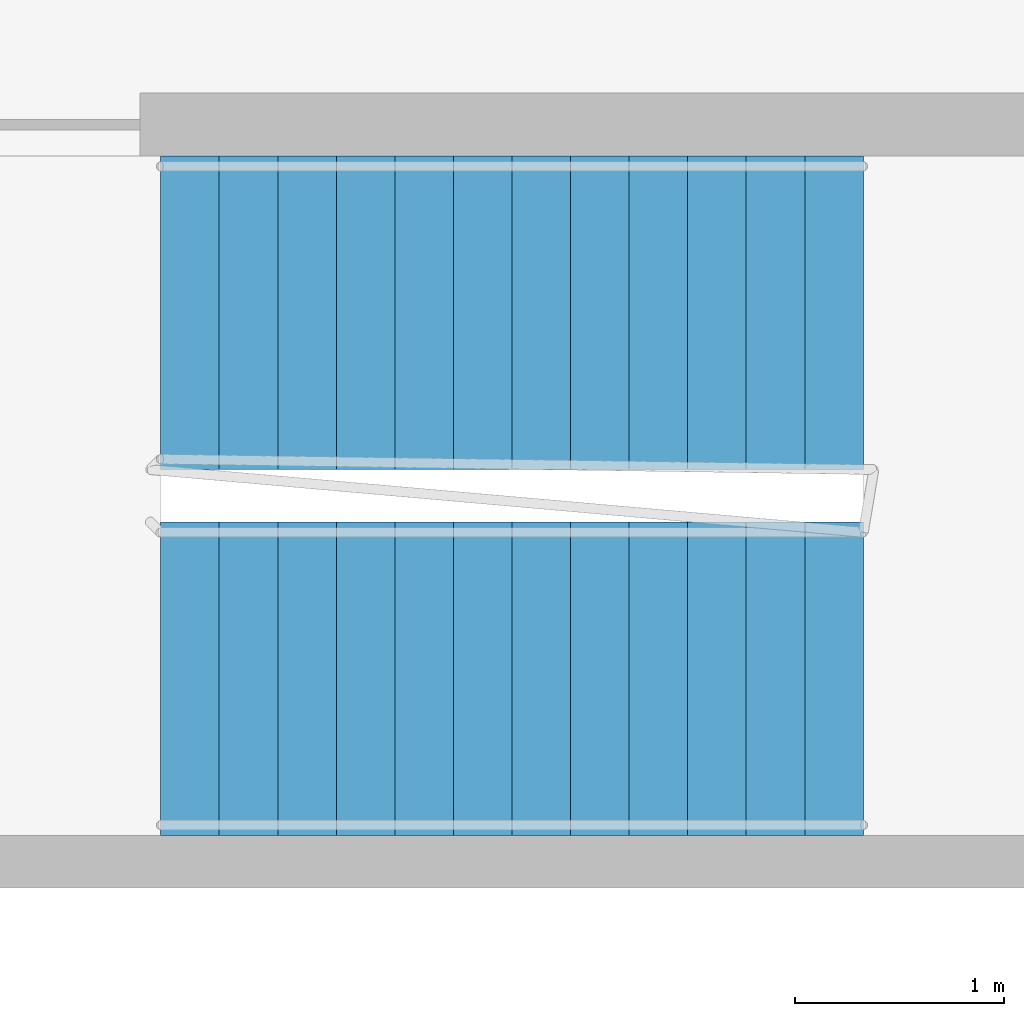
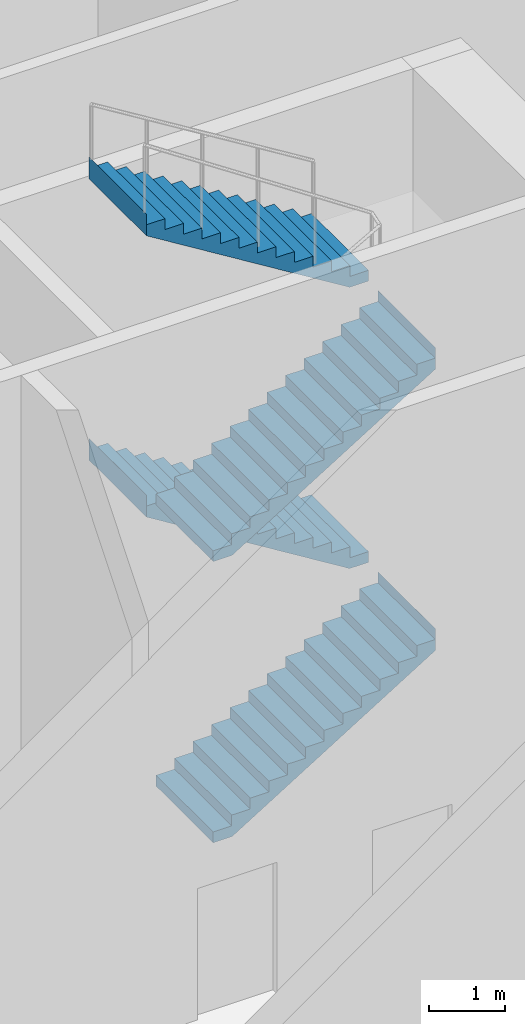
# One storey, part 21 of 24: 4 stair flights, 1 element without a shape of its own.
"""IFC4 building model written with IfcOpenShell, lengths in metres."""

from ifc_helpers import new_model, si_unit, direction, frame, origin, place, context, subcontext, project, spatial, faceted_brep, material, type_object, element, aggregate, save


model = new_model("IFC4")

# Units and contexts
model_context = context("Model", 3, precision=1e-05, world=origin(), true_north=direction((0.0, 1.0)))
body_context = subcontext(model_context, "Body", "Model", "MODEL_VIEW")
ifc_project = project(units=[si_unit("LENGTHUNIT", "METRE"), si_unit("AREAUNIT", "SQUARE_METRE"), si_unit("VOLUMEUNIT", "CUBIC_METRE"), si_unit("PLANEANGLEUNIT", "RADIAN"), si_unit("MASSUNIT", "GRAM", prefix="KILO")], contexts=[model_context])

# Site, building, storey
site_placement = place(None, origin())
site = spatial("IfcSite", under=ifc_project, at=site_placement, CompositionType="ELEMENT")
building_placement = place(site_placement, origin())
building = spatial("IfcBuilding", under=site, at=building_placement, Name="Kajstack Hotel Tower", CompositionType="ELEMENT")
storey_placement = place(building_placement, frame((0.0, 0.0, 38.0)))
storey = spatial("IfcBuildingStorey", under=building, at=storey_placement, Name="L06", CompositionType="ELEMENT", Elevation=38.0)

# Stair, stair flights
ifc_material = material(Name="Concrete C40/50", Category="concrete")
stair_type = type_object("IfcStairType", Name="Exit stair 1500", PredefinedType="HALF_TURN_STAIR", material=ifc_material)
stair_placement = place(storey_placement, origin())
stair = element("IfcStair", 1, at=stair_placement, inside=storey, type_object=stair_type, Name="L06 stair E3", PredefinedType="HALF_TURN_STAIR")
stair_flight_type = type_object("IfcStairFlightType", Name="Exit stair flight 1500", PredefinedType="STRAIGHT", material=ifc_material)
stair_flight_1_placement = place(storey_placement, frame((25.699951171875, 12.699951171875, 0.0), z_axis=(0.0, 0.0, 1.0), x_axis=(1.0, 0.0, 0.0)))
stair_flight_1 = element("IfcStairFlight", 2, at=stair_flight_1_placement, type_object=stair_flight_type, Name="E3 flight 1", NumberOfRisers=13, NumberOfTreads=12, PredefinedType="STRAIGHT", RiserHeight=0.173076923, TreadLength=0.28, context=body_context, shape_type="Brep", body=[
    faceted_brep([(0.28564453125, -0.75, 0.0), (3.360595703125, -0.75, 1.900634765625), (3.360595703125, -0.75, 2.25), (3.360107421875, -0.75, 2.25), (3.360107421875, -0.75, 2.076904296875), (3.080078125, -0.75, 2.076904296875), (3.080078125, -0.75, 1.90380859375), (2.800048828125, -0.75, 1.90380859375), (2.800048828125, -0.75, 1.730712890625), (2.52001953125, -0.75, 1.730712890625), (2.52001953125, -0.75, 1.5576171875), (2.239990234375, -0.75, 1.5576171875), (2.239990234375, -0.75, 1.384521484375), (1.9599609375, -0.75, 1.384521484375), (1.9599609375, -0.75, 1.21142578125), (1.679931640625, -0.75, 1.21142578125), (1.679931640625, -0.75, 1.03857421875), (1.39990234375, -0.75, 1.03857421875), (1.39990234375, -0.75, 0.865478515625), (1.1201171875, -0.75, 0.865478515625), (1.1201171875, -0.75, 0.6923828125), (0.840087890625, -0.75, 0.6923828125), (0.840087890625, -0.75, 0.519287109375), (0.56005859375, -0.75, 0.519287109375), (0.56005859375, -0.75, 0.34619140625), (0.280029296875, -0.75, 0.34619140625), (0.280029296875, -0.75, 0.173095703125), (-0.00048828125, -0.75, 0.173095703125), (-0.00048828125, -0.75, 0.0), (-0.00048828125, 0.75, 0.0), (-0.00048828125, 0.75, 0.173095703125), (0.280029296875, 0.75, 0.173095703125), (0.280029296875, 0.75, 0.34619140625), (0.56005859375, 0.75, 0.34619140625), (0.56005859375, 0.75, 0.519287109375), (0.840087890625, 0.75, 0.519287109375), (0.840087890625, 0.75, 0.6923828125), (1.1201171875, 0.75, 0.6923828125), (1.1201171875, 0.75, 0.865478515625), (1.39990234375, 0.75, 0.865478515625), (1.39990234375, 0.75, 1.03857421875), (1.679931640625, 0.75, 1.03857421875), (1.679931640625, 0.75, 1.21142578125), (1.9599609375, 0.75, 1.21142578125), (1.9599609375, 0.75, 1.384521484375), (2.239990234375, 0.75, 1.384521484375), (2.239990234375, 0.75, 1.5576171875), (2.52001953125, 0.75, 1.5576171875), (2.52001953125, 0.75, 1.730712890625), (2.800048828125, 0.75, 1.730712890625), (2.800048828125, 0.75, 1.90380859375), (3.080078125, 0.75, 1.90380859375), (3.080078125, 0.75, 2.076904296875), (3.360107421875, 0.75, 2.076904296875), (3.360107421875, 0.75, 2.25), (3.360595703125, 0.75, 2.25), (3.360595703125, 0.75, 1.900634765625), (0.28564453125, 0.75, 0.0), (-0.00048828125, -0.375, 0.173095703125), (-0.00048828125, 0.0, 0.173095703125), (-0.00048828125, 0.375, 0.173095703125), (-0.00048828125, 0.375, 0.0), (-0.00048828125, 0.0, 0.0), (-0.00048828125, -0.375, 0.0), (0.280029296875, -0.375, 0.173095703125), (0.280029296875, 0.0, 0.173095703125), (0.280029296875, 0.375, 0.173095703125), (0.280029296875, -0.375, 0.34619140625), (0.280029296875, 0.0, 0.34619140625), (0.280029296875, 0.375, 0.34619140625), (0.56005859375, -0.375, 0.34619140625), (0.56005859375, 0.0, 0.34619140625), (0.56005859375, 0.375, 0.34619140625), (0.56005859375, -0.375, 0.519287109375), (0.56005859375, 0.0, 0.519287109375), (0.56005859375, 0.375, 0.519287109375), (0.840087890625, -0.375, 0.519287109375), (0.840087890625, 0.0, 0.519287109375), (0.840087890625, 0.375, 0.519287109375), (0.840087890625, -0.375, 0.6923828125), (0.840087890625, 0.0, 0.6923828125), (0.840087890625, 0.375, 0.6923828125), (1.1201171875, -0.375, 0.6923828125), (1.1201171875, 0.0, 0.6923828125), (1.1201171875, 0.375, 0.6923828125), (1.1201171875, -0.375, 0.865478515625), (1.1201171875, 0.0, 0.865478515625), (1.1201171875, 0.375, 0.865478515625), (1.39990234375, -0.375, 0.865478515625), (1.39990234375, 0.0, 0.865478515625), (1.39990234375, 0.375, 0.865478515625), (1.39990234375, -0.375, 1.03857421875), (1.39990234375, 0.0, 1.03857421875), (1.39990234375, 0.375, 1.03857421875), (1.679931640625, -0.375, 1.03857421875), (1.679931640625, 0.0, 1.03857421875), (1.679931640625, 0.375, 1.03857421875), (1.679931640625, -0.375, 1.21142578125), (1.679931640625, 0.0, 1.21142578125), (1.679931640625, 0.375, 1.21142578125), (1.9599609375, -0.375, 1.21142578125), (1.9599609375, 0.0, 1.21142578125), (1.9599609375, 0.375, 1.21142578125), (1.9599609375, -0.375, 1.384521484375), (1.9599609375, 0.0, 1.384521484375), (1.9599609375, 0.375, 1.384521484375), (2.239990234375, -0.375, 1.384521484375), (2.239990234375, 0.0, 1.384521484375), (2.239990234375, 0.375, 1.384521484375), (2.239990234375, -0.375, 1.5576171875), (2.239990234375, 0.0, 1.5576171875), (2.239990234375, 0.375, 1.5576171875), (2.52001953125, -0.375, 1.5576171875), (2.52001953125, 0.0, 1.5576171875), (2.52001953125, 0.375, 1.5576171875), (2.52001953125, -0.375, 1.730712890625), (2.52001953125, 0.0, 1.730712890625), (2.52001953125, 0.375, 1.730712890625), (2.800048828125, -0.375, 1.730712890625), (2.800048828125, 0.0, 1.730712890625), (2.800048828125, 0.375, 1.730712890625), (2.800048828125, -0.375, 1.90380859375), (2.800048828125, 0.0, 1.90380859375), (2.800048828125, 0.375, 1.90380859375), (3.080078125, -0.375, 1.90380859375), (3.080078125, 0.0, 1.90380859375), (3.080078125, 0.375, 1.90380859375), (3.080078125, -0.375, 2.076904296875), (3.080078125, 0.0, 2.076904296875), (3.080078125, 0.375, 2.076904296875), (3.360107421875, -0.375, 2.076904296875), (3.360107421875, 0.0, 2.076904296875), (3.360107421875, 0.375, 2.076904296875), (3.360107421875, -0.375, 2.25), (3.360107421875, 0.0, 2.25), (3.360107421875, 0.375, 2.25), (3.360595703125, -0.375, 2.25), (3.360595703125, 0.0, 2.25), (3.360595703125, 0.375, 2.25), (3.360595703125, -0.375, 1.900634765625), (3.360595703125, 0.0, 1.900634765625), (3.360595703125, 0.375, 1.900634765625), (0.28564453125, -0.375, 0.0), (0.28564453125, 0.0, 0.0), (0.28564453125, 0.375, 0.0)], [[[0, 1, 2, 3, 4, 5, 6, 7, 8, 9, 10, 11, 12, 13, 14, 15, 16, 17, 18, 19, 20, 21, 22, 23, 24, 25, 26, 27, 28]], [[29, 30, 31, 32, 33, 34, 35, 36, 37, 38, 39, 40, 41, 42, 43, 44, 45, 46, 47, 48, 49, 50, 51, 52, 53, 54, 55, 56, 57]], [[27, 58, 59, 60, 30, 29, 61, 62, 63, 28]], [[26, 64, 65, 66, 31, 30, 60, 59, 58, 27]], [[25, 67, 68, 69, 32, 31, 66, 65, 64, 26]], [[24, 70, 71, 72, 33, 32, 69, 68, 67, 25]], [[23, 73, 74, 75, 34, 33, 72, 71, 70, 24]], [[22, 76, 77, 78, 35, 34, 75, 74, 73, 23]], [[21, 79, 80, 81, 36, 35, 78, 77, 76, 22]], [[20, 82, 83, 84, 37, 36, 81, 80, 79, 21]], [[19, 85, 86, 87, 38, 37, 84, 83, 82, 20]], [[18, 88, 89, 90, 39, 38, 87, 86, 85, 19]], [[17, 91, 92, 93, 40, 39, 90, 89, 88, 18]], [[16, 94, 95, 96, 41, 40, 93, 92, 91, 17]], [[15, 97, 98, 99, 42, 41, 96, 95, 94, 16]], [[14, 100, 101, 102, 43, 42, 99, 98, 97, 15]], [[13, 103, 104, 105, 44, 43, 102, 101, 100, 14]], [[12, 106, 107, 108, 45, 44, 105, 104, 103, 13]], [[11, 109, 110, 111, 46, 45, 108, 107, 106, 12]], [[10, 112, 113, 114, 47, 46, 111, 110, 109, 11]], [[9, 115, 116, 117, 48, 47, 114, 113, 112, 10]], [[8, 118, 119, 120, 49, 48, 117, 116, 115, 9]], [[7, 121, 122, 123, 50, 49, 120, 119, 118, 8]], [[6, 124, 125, 126, 51, 50, 123, 122, 121, 7]], [[5, 127, 128, 129, 52, 51, 126, 125, 124, 6]], [[4, 130, 131, 132, 53, 52, 129, 128, 127, 5]], [[3, 133, 134, 135, 54, 53, 132, 131, 130, 4]], [[2, 136, 137, 138, 55, 54, 135, 134, 133, 3]], [[1, 139, 140, 141, 56, 55, 138, 137, 136, 2]], [[0, 142, 143, 144, 57, 56, 141, 140, 139, 1]], [[28, 63, 62, 61, 29, 57, 144, 143, 142, 0]]]),
])
stair_flight_2_placement = place(storey_placement, frame((29.06005859375, 14.449951171875, 2.25), z_axis=(0.0, 0.0, 1.0), x_axis=(-1.0, 0.0, 0.0)))
stair_flight_2 = element("IfcStairFlight", 3, at=stair_flight_2_placement, type_object=stair_flight_type, Name="E3 flight 2", NumberOfRisers=13, NumberOfTreads=12, PredefinedType="STRAIGHT", RiserHeight=0.173076923, TreadLength=0.28, context=body_context, shape_type="Brep", body=[
    faceted_brep([(0.28564453125, -0.75, 0.0), (3.360595703125, -0.75, 1.900634765625), (3.360595703125, -0.75, 2.25), (3.360107421875, -0.75, 2.25), (3.360107421875, -0.75, 2.076904296875), (3.080078125, -0.75, 2.076904296875), (3.080078125, -0.75, 1.90380859375), (2.800048828125, -0.75, 1.90380859375), (2.800048828125, -0.75, 1.730712890625), (2.52001953125, -0.75, 1.730712890625), (2.52001953125, -0.75, 1.5576171875), (2.239990234375, -0.75, 1.5576171875), (2.239990234375, -0.75, 1.384521484375), (1.9599609375, -0.75, 1.384521484375), (1.9599609375, -0.75, 1.21142578125), (1.679931640625, -0.75, 1.21142578125), (1.679931640625, -0.75, 1.03857421875), (1.39990234375, -0.75, 1.03857421875), (1.39990234375, -0.75, 0.865478515625), (1.1201171875, -0.75, 0.865478515625), (1.1201171875, -0.75, 0.6923828125), (0.840087890625, -0.75, 0.6923828125), (0.840087890625, -0.75, 0.519287109375), (0.56005859375, -0.75, 0.519287109375), (0.56005859375, -0.75, 0.34619140625), (0.280029296875, -0.75, 0.34619140625), (0.280029296875, -0.75, 0.173095703125), (-0.00048828125, -0.75, 0.173095703125), (-0.00048828125, -0.75, 0.0), (-0.00048828125, 0.75, 0.0), (-0.00048828125, 0.75, 0.173095703125), (0.280029296875, 0.75, 0.173095703125), (0.280029296875, 0.75, 0.34619140625), (0.56005859375, 0.75, 0.34619140625), (0.56005859375, 0.75, 0.519287109375), (0.840087890625, 0.75, 0.519287109375), (0.840087890625, 0.75, 0.6923828125), (1.1201171875, 0.75, 0.6923828125), (1.1201171875, 0.75, 0.865478515625), (1.39990234375, 0.75, 0.865478515625), (1.39990234375, 0.75, 1.03857421875), (1.679931640625, 0.75, 1.03857421875), (1.679931640625, 0.75, 1.21142578125), (1.9599609375, 0.75, 1.21142578125), (1.9599609375, 0.75, 1.384521484375), (2.239990234375, 0.75, 1.384521484375), (2.239990234375, 0.75, 1.5576171875), (2.52001953125, 0.75, 1.5576171875), (2.52001953125, 0.75, 1.730712890625), (2.800048828125, 0.75, 1.730712890625), (2.800048828125, 0.75, 1.90380859375), (3.080078125, 0.75, 1.90380859375), (3.080078125, 0.75, 2.076904296875), (3.360107421875, 0.75, 2.076904296875), (3.360107421875, 0.75, 2.25), (3.360595703125, 0.75, 2.25), (3.360595703125, 0.75, 1.900634765625), (0.28564453125, 0.75, 0.0), (-0.00048828125, -0.375, 0.173095703125), (-0.00048828125, 0.0, 0.173095703125), (-0.00048828125, 0.375, 0.173095703125), (-0.00048828125, 0.375, 0.0), (-0.00048828125, 0.0, 0.0), (-0.00048828125, -0.375, 0.0), (0.280029296875, -0.375, 0.173095703125), (0.280029296875, 0.0, 0.173095703125), (0.280029296875, 0.375, 0.173095703125), (0.280029296875, -0.375, 0.34619140625), (0.280029296875, 0.0, 0.34619140625), (0.280029296875, 0.375, 0.34619140625), (0.56005859375, -0.375, 0.34619140625), (0.56005859375, 0.0, 0.34619140625), (0.56005859375, 0.375, 0.34619140625), (0.56005859375, -0.375, 0.519287109375), (0.56005859375, 0.0, 0.519287109375), (0.56005859375, 0.375, 0.519287109375), (0.840087890625, -0.375, 0.519287109375), (0.840087890625, 0.0, 0.519287109375), (0.840087890625, 0.375, 0.519287109375), (0.840087890625, -0.375, 0.6923828125), (0.840087890625, 0.0, 0.6923828125), (0.840087890625, 0.375, 0.6923828125), (1.1201171875, -0.375, 0.6923828125), (1.1201171875, 0.0, 0.6923828125), (1.1201171875, 0.375, 0.6923828125), (1.1201171875, -0.375, 0.865478515625), (1.1201171875, 0.0, 0.865478515625), (1.1201171875, 0.375, 0.865478515625), (1.39990234375, -0.375, 0.865478515625), (1.39990234375, 0.0, 0.865478515625), (1.39990234375, 0.375, 0.865478515625), (1.39990234375, -0.375, 1.03857421875), (1.39990234375, 0.0, 1.03857421875), (1.39990234375, 0.375, 1.03857421875), (1.679931640625, -0.375, 1.03857421875), (1.679931640625, 0.0, 1.03857421875), (1.679931640625, 0.375, 1.03857421875), (1.679931640625, -0.375, 1.21142578125), (1.679931640625, 0.0, 1.21142578125), (1.679931640625, 0.375, 1.21142578125), (1.9599609375, -0.375, 1.21142578125), (1.9599609375, 0.0, 1.21142578125), (1.9599609375, 0.375, 1.21142578125), (1.9599609375, -0.375, 1.384521484375), (1.9599609375, 0.0, 1.384521484375), (1.9599609375, 0.375, 1.384521484375), (2.239990234375, -0.375, 1.384521484375), (2.239990234375, 0.0, 1.384521484375), (2.239990234375, 0.375, 1.384521484375), (2.239990234375, -0.375, 1.5576171875), (2.239990234375, 0.0, 1.5576171875), (2.239990234375, 0.375, 1.5576171875), (2.52001953125, -0.375, 1.5576171875), (2.52001953125, 0.0, 1.5576171875), (2.52001953125, 0.375, 1.5576171875), (2.52001953125, -0.375, 1.730712890625), (2.52001953125, 0.0, 1.730712890625), (2.52001953125, 0.375, 1.730712890625), (2.800048828125, -0.375, 1.730712890625), (2.800048828125, 0.0, 1.730712890625), (2.800048828125, 0.375, 1.730712890625), (2.800048828125, -0.375, 1.90380859375), (2.800048828125, 0.0, 1.90380859375), (2.800048828125, 0.375, 1.90380859375), (3.080078125, -0.375, 1.90380859375), (3.080078125, 0.0, 1.90380859375), (3.080078125, 0.375, 1.90380859375), (3.080078125, -0.375, 2.076904296875), (3.080078125, 0.0, 2.076904296875), (3.080078125, 0.375, 2.076904296875), (3.360107421875, -0.375, 2.076904296875), (3.360107421875, 0.0, 2.076904296875), (3.360107421875, 0.375, 2.076904296875), (3.360107421875, -0.375, 2.25), (3.360107421875, 0.0, 2.25), (3.360107421875, 0.375, 2.25), (3.360595703125, -0.375, 2.25), (3.360595703125, 0.0, 2.25), (3.360595703125, 0.375, 2.25), (3.360595703125, -0.375, 1.900634765625), (3.360595703125, 0.0, 1.900634765625), (3.360595703125, 0.375, 1.900634765625), (0.28564453125, -0.375, 0.0), (0.28564453125, 0.0, 0.0), (0.28564453125, 0.375, 0.0)], [[[0, 1, 2, 3, 4, 5, 6, 7, 8, 9, 10, 11, 12, 13, 14, 15, 16, 17, 18, 19, 20, 21, 22, 23, 24, 25, 26, 27, 28]], [[29, 30, 31, 32, 33, 34, 35, 36, 37, 38, 39, 40, 41, 42, 43, 44, 45, 46, 47, 48, 49, 50, 51, 52, 53, 54, 55, 56, 57]], [[27, 58, 59, 60, 30, 29, 61, 62, 63, 28]], [[26, 64, 65, 66, 31, 30, 60, 59, 58, 27]], [[25, 67, 68, 69, 32, 31, 66, 65, 64, 26]], [[24, 70, 71, 72, 33, 32, 69, 68, 67, 25]], [[23, 73, 74, 75, 34, 33, 72, 71, 70, 24]], [[22, 76, 77, 78, 35, 34, 75, 74, 73, 23]], [[21, 79, 80, 81, 36, 35, 78, 77, 76, 22]], [[20, 82, 83, 84, 37, 36, 81, 80, 79, 21]], [[19, 85, 86, 87, 38, 37, 84, 83, 82, 20]], [[18, 88, 89, 90, 39, 38, 87, 86, 85, 19]], [[17, 91, 92, 93, 40, 39, 90, 89, 88, 18]], [[16, 94, 95, 96, 41, 40, 93, 92, 91, 17]], [[15, 97, 98, 99, 42, 41, 96, 95, 94, 16]], [[14, 100, 101, 102, 43, 42, 99, 98, 97, 15]], [[13, 103, 104, 105, 44, 43, 102, 101, 100, 14]], [[12, 106, 107, 108, 45, 44, 105, 104, 103, 13]], [[11, 109, 110, 111, 46, 45, 108, 107, 106, 12]], [[10, 112, 113, 114, 47, 46, 111, 110, 109, 11]], [[9, 115, 116, 117, 48, 47, 114, 113, 112, 10]], [[8, 118, 119, 120, 49, 48, 117, 116, 115, 9]], [[7, 121, 122, 123, 50, 49, 120, 119, 118, 8]], [[6, 124, 125, 126, 51, 50, 123, 122, 121, 7]], [[5, 127, 128, 129, 52, 51, 126, 125, 124, 6]], [[4, 130, 131, 132, 53, 52, 129, 128, 127, 5]], [[3, 133, 134, 135, 54, 53, 132, 131, 130, 4]], [[2, 136, 137, 138, 55, 54, 135, 134, 133, 3]], [[1, 139, 140, 141, 56, 55, 138, 137, 136, 2]], [[0, 142, 143, 144, 57, 56, 141, 140, 139, 1]], [[28, 63, 62, 61, 29, 57, 144, 143, 142, 0]]]),
])
stair_flight_3_placement = place(storey_placement, frame((25.699951171875, 12.699951171875, 4.5), z_axis=(0.0, 0.0, 1.0), x_axis=(1.0, 0.0, 0.0)))
stair_flight_3 = element("IfcStairFlight", 4, at=stair_flight_3_placement, type_object=stair_flight_type, Name="E3 flight 3", NumberOfRisers=13, NumberOfTreads=12, PredefinedType="STRAIGHT", RiserHeight=0.173076923, TreadLength=0.28, context=body_context, shape_type="Brep", body=[
    faceted_brep([(0.28564453125, -0.75, 0.0), (3.360595703125, -0.75, 1.900634765625), (3.360595703125, -0.75, 2.25), (3.360107421875, -0.75, 2.25), (3.360107421875, -0.75, 2.076904296875), (3.080078125, -0.75, 2.076904296875), (3.080078125, -0.75, 1.90380859375), (2.800048828125, -0.75, 1.90380859375), (2.800048828125, -0.75, 1.730712890625), (2.52001953125, -0.75, 1.730712890625), (2.52001953125, -0.75, 1.5576171875), (2.239990234375, -0.75, 1.5576171875), (2.239990234375, -0.75, 1.384521484375), (1.9599609375, -0.75, 1.384521484375), (1.9599609375, -0.75, 1.21142578125), (1.679931640625, -0.75, 1.21142578125), (1.679931640625, -0.75, 1.03857421875), (1.39990234375, -0.75, 1.03857421875), (1.39990234375, -0.75, 0.865478515625), (1.1201171875, -0.75, 0.865478515625), (1.1201171875, -0.75, 0.6923828125), (0.840087890625, -0.75, 0.6923828125), (0.840087890625, -0.75, 0.519287109375), (0.56005859375, -0.75, 0.519287109375), (0.56005859375, -0.75, 0.34619140625), (0.280029296875, -0.75, 0.34619140625), (0.280029296875, -0.75, 0.173095703125), (-0.00048828125, -0.75, 0.173095703125), (-0.00048828125, -0.75, 0.0), (-0.00048828125, 0.75, 0.0), (-0.00048828125, 0.75, 0.173095703125), (0.280029296875, 0.75, 0.173095703125), (0.280029296875, 0.75, 0.34619140625), (0.56005859375, 0.75, 0.34619140625), (0.56005859375, 0.75, 0.519287109375), (0.840087890625, 0.75, 0.519287109375), (0.840087890625, 0.75, 0.6923828125), (1.1201171875, 0.75, 0.6923828125), (1.1201171875, 0.75, 0.865478515625), (1.39990234375, 0.75, 0.865478515625), (1.39990234375, 0.75, 1.03857421875), (1.679931640625, 0.75, 1.03857421875), (1.679931640625, 0.75, 1.21142578125), (1.9599609375, 0.75, 1.21142578125), (1.9599609375, 0.75, 1.384521484375), (2.239990234375, 0.75, 1.384521484375), (2.239990234375, 0.75, 1.5576171875), (2.52001953125, 0.75, 1.5576171875), (2.52001953125, 0.75, 1.730712890625), (2.800048828125, 0.75, 1.730712890625), (2.800048828125, 0.75, 1.90380859375), (3.080078125, 0.75, 1.90380859375), (3.080078125, 0.75, 2.076904296875), (3.360107421875, 0.75, 2.076904296875), (3.360107421875, 0.75, 2.25), (3.360595703125, 0.75, 2.25), (3.360595703125, 0.75, 1.900634765625), (0.28564453125, 0.75, 0.0), (-0.00048828125, -0.375, 0.173095703125), (-0.00048828125, 0.0, 0.173095703125), (-0.00048828125, 0.375, 0.173095703125), (-0.00048828125, 0.375, 0.0), (-0.00048828125, 0.0, 0.0), (-0.00048828125, -0.375, 0.0), (0.280029296875, -0.375, 0.173095703125), (0.280029296875, 0.0, 0.173095703125), (0.280029296875, 0.375, 0.173095703125), (0.280029296875, -0.375, 0.34619140625), (0.280029296875, 0.0, 0.34619140625), (0.280029296875, 0.375, 0.34619140625), (0.56005859375, -0.375, 0.34619140625), (0.56005859375, 0.0, 0.34619140625), (0.56005859375, 0.375, 0.34619140625), (0.56005859375, -0.375, 0.519287109375), (0.56005859375, 0.0, 0.519287109375), (0.56005859375, 0.375, 0.519287109375), (0.840087890625, -0.375, 0.519287109375), (0.840087890625, 0.0, 0.519287109375), (0.840087890625, 0.375, 0.519287109375), (0.840087890625, -0.375, 0.6923828125), (0.840087890625, 0.0, 0.6923828125), (0.840087890625, 0.375, 0.6923828125), (1.1201171875, -0.375, 0.6923828125), (1.1201171875, 0.0, 0.6923828125), (1.1201171875, 0.375, 0.6923828125), (1.1201171875, -0.375, 0.865478515625), (1.1201171875, 0.0, 0.865478515625), (1.1201171875, 0.375, 0.865478515625), (1.39990234375, -0.375, 0.865478515625), (1.39990234375, 0.0, 0.865478515625), (1.39990234375, 0.375, 0.865478515625), (1.39990234375, -0.375, 1.03857421875), (1.39990234375, 0.0, 1.03857421875), (1.39990234375, 0.375, 1.03857421875), (1.679931640625, -0.375, 1.03857421875), (1.679931640625, 0.0, 1.03857421875), (1.679931640625, 0.375, 1.03857421875), (1.679931640625, -0.375, 1.21142578125), (1.679931640625, 0.0, 1.21142578125), (1.679931640625, 0.375, 1.21142578125), (1.9599609375, -0.375, 1.21142578125), (1.9599609375, 0.0, 1.21142578125), (1.9599609375, 0.375, 1.21142578125), (1.9599609375, -0.375, 1.384521484375), (1.9599609375, 0.0, 1.384521484375), (1.9599609375, 0.375, 1.384521484375), (2.239990234375, -0.375, 1.384521484375), (2.239990234375, 0.0, 1.384521484375), (2.239990234375, 0.375, 1.384521484375), (2.239990234375, -0.375, 1.5576171875), (2.239990234375, 0.0, 1.5576171875), (2.239990234375, 0.375, 1.5576171875), (2.52001953125, -0.375, 1.5576171875), (2.52001953125, 0.0, 1.5576171875), (2.52001953125, 0.375, 1.5576171875), (2.52001953125, -0.375, 1.730712890625), (2.52001953125, 0.0, 1.730712890625), (2.52001953125, 0.375, 1.730712890625), (2.800048828125, -0.375, 1.730712890625), (2.800048828125, 0.0, 1.730712890625), (2.800048828125, 0.375, 1.730712890625), (2.800048828125, -0.375, 1.90380859375), (2.800048828125, 0.0, 1.90380859375), (2.800048828125, 0.375, 1.90380859375), (3.080078125, -0.375, 1.90380859375), (3.080078125, 0.0, 1.90380859375), (3.080078125, 0.375, 1.90380859375), (3.080078125, -0.375, 2.076904296875), (3.080078125, 0.0, 2.076904296875), (3.080078125, 0.375, 2.076904296875), (3.360107421875, -0.375, 2.076904296875), (3.360107421875, 0.0, 2.076904296875), (3.360107421875, 0.375, 2.076904296875), (3.360107421875, -0.375, 2.25), (3.360107421875, 0.0, 2.25), (3.360107421875, 0.375, 2.25), (3.360595703125, -0.375, 2.25), (3.360595703125, 0.0, 2.25), (3.360595703125, 0.375, 2.25), (3.360595703125, -0.375, 1.900634765625), (3.360595703125, 0.0, 1.900634765625), (3.360595703125, 0.375, 1.900634765625), (0.28564453125, -0.375, 0.0), (0.28564453125, 0.0, 0.0), (0.28564453125, 0.375, 0.0)], [[[0, 1, 2, 3, 4, 5, 6, 7, 8, 9, 10, 11, 12, 13, 14, 15, 16, 17, 18, 19, 20, 21, 22, 23, 24, 25, 26, 27, 28]], [[29, 30, 31, 32, 33, 34, 35, 36, 37, 38, 39, 40, 41, 42, 43, 44, 45, 46, 47, 48, 49, 50, 51, 52, 53, 54, 55, 56, 57]], [[27, 58, 59, 60, 30, 29, 61, 62, 63, 28]], [[26, 64, 65, 66, 31, 30, 60, 59, 58, 27]], [[25, 67, 68, 69, 32, 31, 66, 65, 64, 26]], [[24, 70, 71, 72, 33, 32, 69, 68, 67, 25]], [[23, 73, 74, 75, 34, 33, 72, 71, 70, 24]], [[22, 76, 77, 78, 35, 34, 75, 74, 73, 23]], [[21, 79, 80, 81, 36, 35, 78, 77, 76, 22]], [[20, 82, 83, 84, 37, 36, 81, 80, 79, 21]], [[19, 85, 86, 87, 38, 37, 84, 83, 82, 20]], [[18, 88, 89, 90, 39, 38, 87, 86, 85, 19]], [[17, 91, 92, 93, 40, 39, 90, 89, 88, 18]], [[16, 94, 95, 96, 41, 40, 93, 92, 91, 17]], [[15, 97, 98, 99, 42, 41, 96, 95, 94, 16]], [[14, 100, 101, 102, 43, 42, 99, 98, 97, 15]], [[13, 103, 104, 105, 44, 43, 102, 101, 100, 14]], [[12, 106, 107, 108, 45, 44, 105, 104, 103, 13]], [[11, 109, 110, 111, 46, 45, 108, 107, 106, 12]], [[10, 112, 113, 114, 47, 46, 111, 110, 109, 11]], [[9, 115, 116, 117, 48, 47, 114, 113, 112, 10]], [[8, 118, 119, 120, 49, 48, 117, 116, 115, 9]], [[7, 121, 122, 123, 50, 49, 120, 119, 118, 8]], [[6, 124, 125, 126, 51, 50, 123, 122, 121, 7]], [[5, 127, 128, 129, 52, 51, 126, 125, 124, 6]], [[4, 130, 131, 132, 53, 52, 129, 128, 127, 5]], [[3, 133, 134, 135, 54, 53, 132, 131, 130, 4]], [[2, 136, 137, 138, 55, 54, 135, 134, 133, 3]], [[1, 139, 140, 141, 56, 55, 138, 137, 136, 2]], [[0, 142, 143, 144, 57, 56, 141, 140, 139, 1]], [[28, 63, 62, 61, 29, 57, 144, 143, 142, 0]]]),
])
stair_flight_4_placement = place(storey_placement, frame((29.06005859375, 14.449951171875, 6.75), z_axis=(0.0, 0.0, 1.0), x_axis=(-1.0, 0.0, 0.0)))
stair_flight_4 = element("IfcStairFlight", 5, at=stair_flight_4_placement, type_object=stair_flight_type, Name="E3 flight 4", NumberOfRisers=13, NumberOfTreads=12, PredefinedType="STRAIGHT", RiserHeight=0.173076923, TreadLength=0.28, context=body_context, shape_type="Brep", body=[
    faceted_brep([(0.28564453125, -0.75, 0.0), (3.360595703125, -0.75, 1.900634765625), (3.360595703125, -0.75, 2.25), (3.360107421875, -0.75, 2.25), (3.360107421875, -0.75, 2.076904296875), (3.080078125, -0.75, 2.076904296875), (3.080078125, -0.75, 1.90380859375), (2.800048828125, -0.75, 1.90380859375), (2.800048828125, -0.75, 1.730712890625), (2.52001953125, -0.75, 1.730712890625), (2.52001953125, -0.75, 1.5576171875), (2.239990234375, -0.75, 1.5576171875), (2.239990234375, -0.75, 1.384521484375), (1.9599609375, -0.75, 1.384521484375), (1.9599609375, -0.75, 1.21142578125), (1.679931640625, -0.75, 1.21142578125), (1.679931640625, -0.75, 1.03857421875), (1.39990234375, -0.75, 1.03857421875), (1.39990234375, -0.75, 0.865478515625), (1.1201171875, -0.75, 0.865478515625), (1.1201171875, -0.75, 0.6923828125), (0.840087890625, -0.75, 0.6923828125), (0.840087890625, -0.75, 0.519287109375), (0.56005859375, -0.75, 0.519287109375), (0.56005859375, -0.75, 0.34619140625), (0.280029296875, -0.75, 0.34619140625), (0.280029296875, -0.75, 0.173095703125), (-0.00048828125, -0.75, 0.173095703125), (-0.00048828125, -0.75, 0.0), (-0.00048828125, 0.75, 0.0), (-0.00048828125, 0.75, 0.173095703125), (0.280029296875, 0.75, 0.173095703125), (0.280029296875, 0.75, 0.34619140625), (0.56005859375, 0.75, 0.34619140625), (0.56005859375, 0.75, 0.519287109375), (0.840087890625, 0.75, 0.519287109375), (0.840087890625, 0.75, 0.6923828125), (1.1201171875, 0.75, 0.6923828125), (1.1201171875, 0.75, 0.865478515625), (1.39990234375, 0.75, 0.865478515625), (1.39990234375, 0.75, 1.03857421875), (1.679931640625, 0.75, 1.03857421875), (1.679931640625, 0.75, 1.21142578125), (1.9599609375, 0.75, 1.21142578125), (1.9599609375, 0.75, 1.384521484375), (2.239990234375, 0.75, 1.384521484375), (2.239990234375, 0.75, 1.5576171875), (2.52001953125, 0.75, 1.5576171875), (2.52001953125, 0.75, 1.730712890625), (2.800048828125, 0.75, 1.730712890625), (2.800048828125, 0.75, 1.90380859375), (3.080078125, 0.75, 1.90380859375), (3.080078125, 0.75, 2.076904296875), (3.360107421875, 0.75, 2.076904296875), (3.360107421875, 0.75, 2.25), (3.360595703125, 0.75, 2.25), (3.360595703125, 0.75, 1.900634765625), (0.28564453125, 0.75, 0.0), (-0.00048828125, -0.375, 0.173095703125), (-0.00048828125, 0.0, 0.173095703125), (-0.00048828125, 0.375, 0.173095703125), (-0.00048828125, 0.375, 0.0), (-0.00048828125, 0.0, 0.0), (-0.00048828125, -0.375, 0.0), (0.280029296875, -0.375, 0.173095703125), (0.280029296875, 0.0, 0.173095703125), (0.280029296875, 0.375, 0.173095703125), (0.280029296875, -0.375, 0.34619140625), (0.280029296875, 0.0, 0.34619140625), (0.280029296875, 0.375, 0.34619140625), (0.56005859375, -0.375, 0.34619140625), (0.56005859375, 0.0, 0.34619140625), (0.56005859375, 0.375, 0.34619140625), (0.56005859375, -0.375, 0.519287109375), (0.56005859375, 0.0, 0.519287109375), (0.56005859375, 0.375, 0.519287109375), (0.840087890625, -0.375, 0.519287109375), (0.840087890625, 0.0, 0.519287109375), (0.840087890625, 0.375, 0.519287109375), (0.840087890625, -0.375, 0.6923828125), (0.840087890625, 0.0, 0.6923828125), (0.840087890625, 0.375, 0.6923828125), (1.1201171875, -0.375, 0.6923828125), (1.1201171875, 0.0, 0.6923828125), (1.1201171875, 0.375, 0.6923828125), (1.1201171875, -0.375, 0.865478515625), (1.1201171875, 0.0, 0.865478515625), (1.1201171875, 0.375, 0.865478515625), (1.39990234375, -0.375, 0.865478515625), (1.39990234375, 0.0, 0.865478515625), (1.39990234375, 0.375, 0.865478515625), (1.39990234375, -0.375, 1.03857421875), (1.39990234375, 0.0, 1.03857421875), (1.39990234375, 0.375, 1.03857421875), (1.679931640625, -0.375, 1.03857421875), (1.679931640625, 0.0, 1.03857421875), (1.679931640625, 0.375, 1.03857421875), (1.679931640625, -0.375, 1.21142578125), (1.679931640625, 0.0, 1.21142578125), (1.679931640625, 0.375, 1.21142578125), (1.9599609375, -0.375, 1.21142578125), (1.9599609375, 0.0, 1.21142578125), (1.9599609375, 0.375, 1.21142578125), (1.9599609375, -0.375, 1.384521484375), (1.9599609375, 0.0, 1.384521484375), (1.9599609375, 0.375, 1.384521484375), (2.239990234375, -0.375, 1.384521484375), (2.239990234375, 0.0, 1.384521484375), (2.239990234375, 0.375, 1.384521484375), (2.239990234375, -0.375, 1.5576171875), (2.239990234375, 0.0, 1.5576171875), (2.239990234375, 0.375, 1.5576171875), (2.52001953125, -0.375, 1.5576171875), (2.52001953125, 0.0, 1.5576171875), (2.52001953125, 0.375, 1.5576171875), (2.52001953125, -0.375, 1.730712890625), (2.52001953125, 0.0, 1.730712890625), (2.52001953125, 0.375, 1.730712890625), (2.800048828125, -0.375, 1.730712890625), (2.800048828125, 0.0, 1.730712890625), (2.800048828125, 0.375, 1.730712890625), (2.800048828125, -0.375, 1.90380859375), (2.800048828125, 0.0, 1.90380859375), (2.800048828125, 0.375, 1.90380859375), (3.080078125, -0.375, 1.90380859375), (3.080078125, 0.0, 1.90380859375), (3.080078125, 0.375, 1.90380859375), (3.080078125, -0.375, 2.076904296875), (3.080078125, 0.0, 2.076904296875), (3.080078125, 0.375, 2.076904296875), (3.360107421875, -0.375, 2.076904296875), (3.360107421875, 0.0, 2.076904296875), (3.360107421875, 0.375, 2.076904296875), (3.360107421875, -0.375, 2.25), (3.360107421875, 0.0, 2.25), (3.360107421875, 0.375, 2.25), (3.360595703125, -0.375, 2.25), (3.360595703125, 0.0, 2.25), (3.360595703125, 0.375, 2.25), (3.360595703125, -0.375, 1.900634765625), (3.360595703125, 0.0, 1.900634765625), (3.360595703125, 0.375, 1.900634765625), (0.28564453125, -0.375, 0.0), (0.28564453125, 0.0, 0.0), (0.28564453125, 0.375, 0.0)], [[[0, 1, 2, 3, 4, 5, 6, 7, 8, 9, 10, 11, 12, 13, 14, 15, 16, 17, 18, 19, 20, 21, 22, 23, 24, 25, 26, 27, 28]], [[29, 30, 31, 32, 33, 34, 35, 36, 37, 38, 39, 40, 41, 42, 43, 44, 45, 46, 47, 48, 49, 50, 51, 52, 53, 54, 55, 56, 57]], [[27, 58, 59, 60, 30, 29, 61, 62, 63, 28]], [[26, 64, 65, 66, 31, 30, 60, 59, 58, 27]], [[25, 67, 68, 69, 32, 31, 66, 65, 64, 26]], [[24, 70, 71, 72, 33, 32, 69, 68, 67, 25]], [[23, 73, 74, 75, 34, 33, 72, 71, 70, 24]], [[22, 76, 77, 78, 35, 34, 75, 74, 73, 23]], [[21, 79, 80, 81, 36, 35, 78, 77, 76, 22]], [[20, 82, 83, 84, 37, 36, 81, 80, 79, 21]], [[19, 85, 86, 87, 38, 37, 84, 83, 82, 20]], [[18, 88, 89, 90, 39, 38, 87, 86, 85, 19]], [[17, 91, 92, 93, 40, 39, 90, 89, 88, 18]], [[16, 94, 95, 96, 41, 40, 93, 92, 91, 17]], [[15, 97, 98, 99, 42, 41, 96, 95, 94, 16]], [[14, 100, 101, 102, 43, 42, 99, 98, 97, 15]], [[13, 103, 104, 105, 44, 43, 102, 101, 100, 14]], [[12, 106, 107, 108, 45, 44, 105, 104, 103, 13]], [[11, 109, 110, 111, 46, 45, 108, 107, 106, 12]], [[10, 112, 113, 114, 47, 46, 111, 110, 109, 11]], [[9, 115, 116, 117, 48, 47, 114, 113, 112, 10]], [[8, 118, 119, 120, 49, 48, 117, 116, 115, 9]], [[7, 121, 122, 123, 50, 49, 120, 119, 118, 8]], [[6, 124, 125, 126, 51, 50, 123, 122, 121, 7]], [[5, 127, 128, 129, 52, 51, 126, 125, 124, 6]], [[4, 130, 131, 132, 53, 52, 129, 128, 127, 5]], [[3, 133, 134, 135, 54, 53, 132, 131, 130, 4]], [[2, 136, 137, 138, 55, 54, 135, 134, 133, 3]], [[1, 139, 140, 141, 56, 55, 138, 137, 136, 2]], [[0, 142, 143, 144, 57, 56, 141, 140, 139, 1]], [[28, 63, 62, 61, 29, 57, 144, 143, 142, 0]]]),
])
aggregate(stair, [stair_flight_1, stair_flight_2, stair_flight_3, stair_flight_4])

save(model, "model.ifc")
